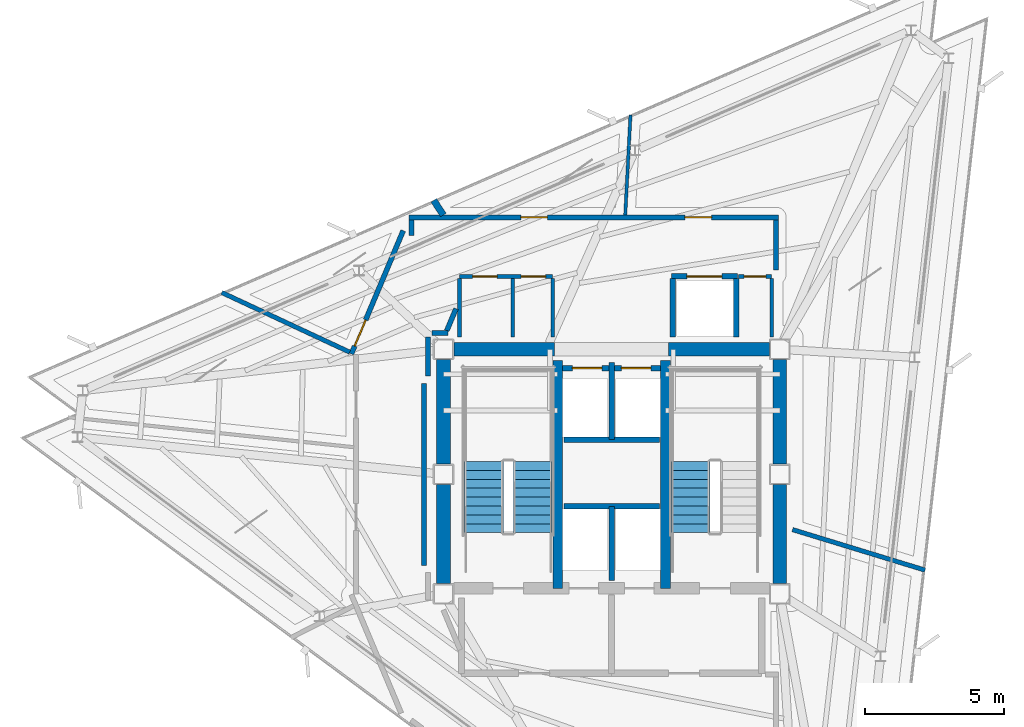
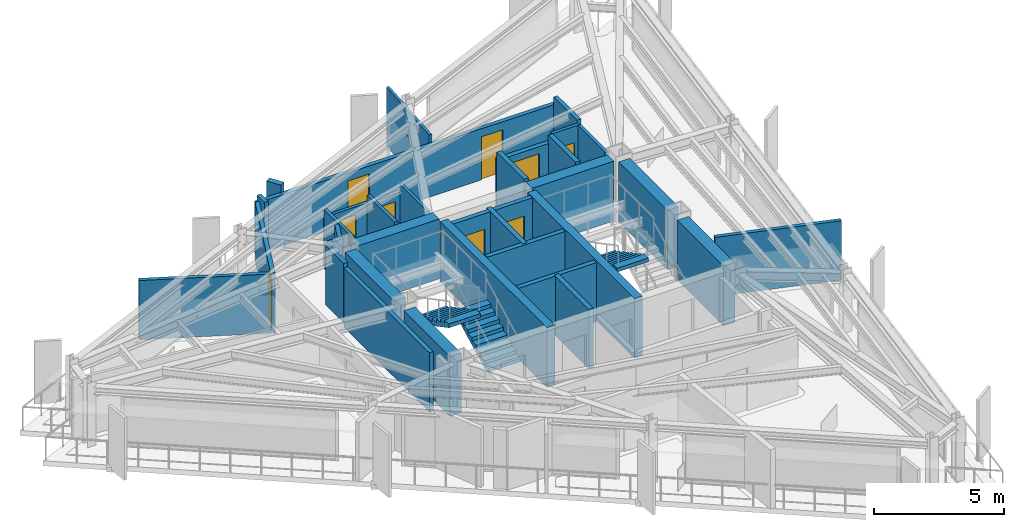
# One storey, part 6 of 10: 34 walls, 9 doors, 3 stair flights, 9 openings, 2 elements without a shape of their own.
"""IFC4 building model written with IfcOpenShell, lengths in metres."""

import ifcopenshell
import ifcopenshell.guid

model = None  # the IFC model being written
_history = None  # IfcOwnerHistory: only IFC2X3 demands one
_inside = {}  # id of a spatial element -> (the spatial element, [elements in it])
_under = {}  # id of a project, library or spatial element -> (it, [spatial elements below it])
_declared = {}  # id of a project -> (the project, [libraries it declares])
_typed = {}  # id of a type object -> (the type object, [elements of that type])
_made_of = {}  # id of a material, layer set ... -> (it, [elements and type objects made of it])


def new_model(schema):
    """Start an empty IFC model of exactly this schema.

    Asked for "IFC4X3", IfcOpenShell would pick the latest addendum, in which some entities
    have other attributes; the version numbers below select the first issue.
    IFC2X3 requires an IfcOwnerHistory on every rooted entity: one is made here for all.
    """
    global model, _history
    if schema == "IFC4X3":
        model = ifcopenshell.file(schema_version=(4, 3, 0, 0))
    else:
        model = ifcopenshell.file(schema=schema)
    _inside.clear()
    _under.clear()
    _declared.clear()
    _typed.clear()
    _made_of.clear()
    _history = None
    if model.schema == "IFC2X3":
        org = make("IfcOrganization", Name="unknown")
        user = make(
            "IfcPersonAndOrganization",
            ThePerson=make("IfcPerson", FamilyName="unknown"),
            TheOrganization=org,
        )
        app = make(
            "IfcApplication",
            ApplicationDeveloper=org,
            Version="unknown",
            ApplicationFullName="unknown",
            ApplicationIdentifier="unknown",
        )
        _history = make(
            "IfcOwnerHistory",
            OwningUser=user,
            OwningApplication=app,
            ChangeAction="ADDED",
            CreationDate=0,
        )
    return model


def make(cls, **values):
    """One entity of the class cls with the attributes given. An attribute that is None is left unset."""
    return model.create_entity(
        cls, **{name: value for name, value in values.items() if value is not None}
    )


def rooted(cls, **values):
    """An entity with a GlobalId (a new one), such as an element, a storey or a relation."""
    return make(cls, GlobalId=ifcopenshell.guid.new(), OwnerHistory=_history, **values)


def si_unit(unit_type, name, prefix=None):
    """IfcSIUnit, for example si_unit("LENGTHUNIT", "METRE", prefix="MILLI")."""
    return make("IfcSIUnit", UnitType=unit_type, Prefix=prefix, Name=name)


def assignment(units):
    """IfcUnitAssignment: the units of a project."""
    return None if units is None else make("IfcUnitAssignment", Units=units)


def point(xyz):
    """IfcCartesianPoint."""
    return None if xyz is None else make("IfcCartesianPoint", Coordinates=xyz)


def direction(xyz):
    """IfcDirection."""
    return None if xyz is None else make("IfcDirection", DirectionRatios=xyz)


def frame(location, z_axis=None, x_axis=None):
    """IfcAxis2Placement3D, a coordinate frame: its origin and axes. An axis left out is left unset."""
    return make(
        "IfcAxis2Placement3D",
        Location=point(location),
        Axis=direction(z_axis),
        RefDirection=direction(x_axis),
    )


def frame_2d(location, x_axis=None):
    """IfcAxis2Placement2D, a coordinate frame in the plane: its origin and x axis."""
    return make(
        "IfcAxis2Placement2D", Location=point(location), RefDirection=direction(x_axis)
    )


def origin():
    """The frame at (0, 0, 0) with its axes left unset."""
    return frame((0.0, 0.0, 0.0))


def place(relative_to, where):
    """IfcLocalPlacement: puts the frame where relative to a parent placement (None: the world)."""
    return make(
        "IfcLocalPlacement", PlacementRelTo=relative_to, RelativePlacement=where
    )


def context(
    kind, dimensions, precision=None, world=None, true_north=None, identifier=None
):
    """IfcGeometricRepresentationContext, for example the 3D "Model" context."""
    return make(
        "IfcGeometricRepresentationContext",
        ContextIdentifier=identifier,
        ContextType=kind,
        CoordinateSpaceDimension=dimensions,
        Precision=precision,
        WorldCoordinateSystem=world,
        TrueNorth=true_north,
    )


def subcontext(parent, identifier, kind, view, scale=None):
    """IfcGeometricRepresentationSubContext, for example "Body" below "Model"."""
    return make(
        "IfcGeometricRepresentationSubContext",
        ContextIdentifier=identifier,
        ContextType=kind,
        ParentContext=parent,
        TargetScale=scale,
        TargetView=view,
    )


def project(units=None, contexts=None):
    """IfcProject with its units and contexts."""
    return rooted(
        "IfcProject",
        Name="project",
        RepresentationContexts=contexts,
        UnitsInContext=assignment(units),
    )


def spatial(cls, under=None, at=None, **own):
    """A site, building, storey or space (cls), placed at a placement, below another one or the project."""
    s = rooted(cls, ObjectPlacement=at, **own)
    if under is not None:
        _under.setdefault(under.id(), (under, []))[1].append(s)
    return s


def polyline(points):
    """IfcPolyline through the points."""
    return make("IfcPolyline", Points=[point(p) for p in points])


def profile(cls, at=None, kind="AREA", **sizes):
    """A parametric profile (cls). Its sizes go by their IFC names, for example OverallWidth=200.0."""
    return make(cls, ProfileType=kind, Position=at, **sizes)


def rectangle(**sizes):
    """IfcRectangleProfileDef."""
    return profile("IfcRectangleProfileDef", **sizes)


def outline(outer, holes=None, kind="AREA"):
    """IfcArbitraryClosedProfileDef: a profile drawn as a closed curve; with holes, ...WithVoids."""
    if holes is None:
        return make("IfcArbitraryClosedProfileDef", ProfileType=kind, OuterCurve=outer)
    return make(
        "IfcArbitraryProfileDefWithVoids",
        ProfileType=kind,
        OuterCurve=outer,
        InnerCurves=holes,
    )


def extrude(swept, where, along, depth):
    """IfcExtrudedAreaSolid: the profile swept, set in the frame where, extruded along a direction by depth."""
    return make(
        "IfcExtrudedAreaSolid",
        SweptArea=swept,
        Position=where,
        ExtrudedDirection=direction(along),
        Depth=depth,
    )


def shape(context_of_items, identifier, shape_type, items):
    """IfcShapeRepresentation: the items that make up one representation, for example the "Body"."""
    return make(
        "IfcShapeRepresentation",
        ContextOfItems=context_of_items,
        RepresentationIdentifier=identifier,
        RepresentationType=shape_type,
        Items=items,
    )


def material(Name=None, Category=None):
    """IfcMaterial."""
    return make("IfcMaterial", Name=Name, Category=Category)


def layer(
    of_material, thickness, ventilated=None, Name=None, Category=None, Priority=None
):
    """IfcMaterialLayer: one layer of a wall or slab, of a material (None: an air gap)."""
    return make(
        "IfcMaterialLayer",
        Material=of_material,
        LayerThickness=thickness,
        IsVentilated=ventilated,
        Name=Name,
        Category=Category,
        Priority=Priority,
    )


def layer_set(layers, Name=None):
    """IfcMaterialLayerSet."""
    return make("IfcMaterialLayerSet", MaterialLayers=layers, LayerSetName=Name)


def made_of(thing, what):
    """Note that an element or type object is made of a material, layer set ...; save() writes the relation."""
    if what is not None:
        _made_of.setdefault(what.id(), (what, []))[1].append(thing)
    return thing


def type_object(cls, material=None, **own):
    """A type object (cls), such as IfcWallType, which elements share."""
    return made_of(rooted(cls, **own), material)


def element(
    cls,
    number,
    at=None,
    inside=None,
    cuts=None,
    type_object=None,
    material=None,
    context=None,
    identifier="Body",
    shape_type=None,
    held_by="IfcProductDefinitionShape",
    body=None,
    shapes=None,
    **own,
):
    """One element of the class cls, such as IfcWall. Its Tag is "e" and its number.

    at: its placement. inside: the storey or other place that contains it. cuts: it is an
    opening in that element (IfcRelVoidsElement). A single representation is given by context,
    identifier, shape_type and body (its items); several are given by shapes. held_by: the class
    of the entity that holds the representations. save() writes the other relations.
    """
    e = rooted(cls, Tag="e%d" % number, ObjectPlacement=at, **own)
    if body is not None:
        shapes = [shape(context, identifier, shape_type, body)]
    if shapes is not None:
        e.Representation = make(held_by, Representations=shapes)
    if inside is not None:
        _inside.setdefault(inside.id(), (inside, []))[1].append(e)
    if cuts is not None:
        rooted(
            "IfcRelVoidsElement", RelatingBuildingElement=cuts, RelatedOpeningElement=e
        )
    if type_object is not None:
        _typed.setdefault(type_object.id(), (type_object, []))[1].append(e)
    return made_of(e, material)


def fill(opening, filler):
    """IfcRelFillsElement: the door or window that sits in an opening."""
    return rooted(
        "IfcRelFillsElement",
        RelatingOpeningElement=opening,
        RelatedBuildingElement=filler,
    )


def aggregate(whole, parts):
    """IfcRelAggregates: a whole, such as a stair, and the parts it consists of."""
    return rooted("IfcRelAggregates", RelatingObject=whole, RelatedObjects=parts)


def save(model, path):
    """Write the relations noted so far, then the file.

    IfcRelAggregates (storeys below a building ...), IfcRelContainedInSpatialStructure (elements
    in a storey), IfcRelDefinesByType, IfcRelAssociatesMaterial and IfcRelDeclares: one each for
    every whole, place, type object, material and project.
    """
    for whole, parts in _under.values():
        aggregate(whole, parts)
    for where, things in _inside.values():
        rooted(
            "IfcRelContainedInSpatialStructure",
            RelatedElements=things,
            RelatingStructure=where,
        )
    for kind, things in _typed.values():
        rooted("IfcRelDefinesByType", RelatedObjects=things, RelatingType=kind)
    for what, things in _made_of.values():
        rooted("IfcRelAssociatesMaterial", RelatedObjects=things, RelatingMaterial=what)
    for by, libraries in _declared.values():
        rooted("IfcRelDeclares", RelatingContext=by, RelatedDefinitions=libraries)
    model.write(path)


model = new_model("IFC4")

# Units and contexts
model_context = context("Model", 3, precision=1e-05, world=origin(), true_north=direction((0.0, 1.0)))
body_context = subcontext(model_context, "Body", "Model", "MODEL_VIEW")
ifc_project = project(units=[si_unit("LENGTHUNIT", "METRE"), si_unit("AREAUNIT", "SQUARE_METRE"), si_unit("VOLUMEUNIT", "CUBIC_METRE"), si_unit("PLANEANGLEUNIT", "RADIAN"), si_unit("MASSUNIT", "GRAM", prefix="KILO")], contexts=[model_context])

# Site, building, storey
site_placement = place(None, origin())
site = spatial("IfcSite", under=ifc_project, at=site_placement, CompositionType="ELEMENT")
building_placement = place(site_placement, origin())
building = spatial("IfcBuilding", under=site, at=building_placement, Name="Rocaltana Carrier Exchange", CompositionType="ELEMENT")
storey_placement = place(building_placement, frame((0.0, 0.0, 227.0400390625)))
storey = spatial("IfcBuildingStorey", under=building, at=storey_placement, Name="L72", CompositionType="ELEMENT", Elevation=227.0400390625)

# Walls
ifc_material_1 = material(Name="Double Acoustic Gypsum Partition", Category="gypsum")
ifc_layer_1 = layer(ifc_material_1, 0.159912109375)
ifc_layer_set_1 = layer_set([ifc_layer_1], Name="Double Acoustic Gypsum Partition")
wall_type_1 = type_object("IfcWallType", Name="Acoustic Studio Partition 160 EI60", PredefinedType="PARTITIONING", material=ifc_layer_set_1)
wall_1_placement = place(storey_placement, frame((6.510009765625, -1.990234375, 0.0), z_axis=(0.0, 0.0, 1.0), x_axis=(0.956296423481, -0.292398957653, 0.0)))
element("IfcWall", 1, at=wall_1_placement, inside=storey, type_object=wall_type_1, Name="L72 Suite Divider Wall D4", PredefinedType="PARTITIONING", context=body_context, shape_type="SweptSolid", body=[
    extrude(rectangle(XDim=4.984619140625, YDim=0.159912109375, at=frame_2d((2.4921875, 0.0))), origin(), (0.0, 0.0, 1.0), 2.77294921875),
])
wall_2_placement = place(storey_placement, frame((-9.4267578125, 4.395751953125, 0.0), z_axis=(0.0, 0.0, 1.0), x_axis=(-0.906319380456, 0.422593398682, 0.0)))
element("IfcWall", 2, at=wall_2_placement, inside=storey, type_object=wall_type_1, Name="L72 Suite Divider Wall D7", PredefinedType="PARTITIONING", context=body_context, shape_type="SweptSolid", body=[
    extrude(rectangle(XDim=5.079833984375, YDim=0.159912109375, at=frame_2d((2.5400390625, 0.0))), origin(), (0.0, 0.0, 1.0), 2.77294921875),
])
ifc_material_2 = material(Name="Concrete C50/60", Category="concrete")
ifc_layer_2 = layer(ifc_material_2, 0.35009765625)
ifc_layer_set_2 = layer_set([ifc_layer_2], Name="Concrete C50/60")
wall_type_2 = type_object("IfcWallType", Name="Core Internal Shear Wall 350", PredefinedType="SHEAR", material=ifc_layer_set_2)
for number, where, z_axis, x_axis, name in (
    (3, (-1.93994140625, -4.10009765625, 0.0), (0.0, 0.0, 1.0), (0.0, 1.0, 0.0), "L72 Core Shear Wall CW-STW"),
    (4, (1.93994140625, -4.10009765625, 0.0), (0.0, 0.0, 1.0), (0.0, 1.0, 0.0), "L72 Core Shear Wall CW-STE"),
):
    element("IfcWall", number, at=place(storey_placement, frame(where, z_axis=z_axis, x_axis=x_axis)), inside=storey, type_object=wall_type_2, Name=name, PredefinedType="SHEAR", context=body_context, shape_type="SweptSolid", body=[
        extrude(rectangle(XDim=8.2001953125, YDim=0.35009765625, at=frame_2d((4.10009765625, 0.0))), origin(), (0.0, 0.0, 1.0), 2.7978515625),
    ])
ifc_material_3 = material(Name="Concrete C50/60", Category="concrete")
ifc_layer_3 = layer(ifc_material_3, 0.5)
ifc_layer_set_3 = layer_set([ifc_layer_3], Name="Concrete C50/60")
wall_type_3 = type_object("IfcWallType", Name="Core Shear Wall 500", PredefinedType="SHEAR", material=ifc_layer_set_3)
wall_3_placement = place(storey_placement, frame((-6.050048828125, 0.375, 0.0), z_axis=(0.0, 0.0, 1.0), x_axis=(0.0, 1.0, 0.0)))
element("IfcWall", 5, at=wall_3_placement, inside=storey, type_object=wall_type_3, Name="L72 Core Shear Wall CW-WN", PredefinedType="SHEAR", context=body_context, shape_type="SweptSolid", body=[
    extrude(rectangle(XDim=3.75, YDim=0.5, at=frame_2d((1.875, 0.0))), origin(), (0.0, 0.0, 1.0), 2.7978515625),
])
wall_4_placement = place(storey_placement, frame((-6.050048828125, -3.925048828125, 0.0), z_axis=(0.0, 0.0, 1.0), x_axis=(0.0, 1.0, 0.0)))
element("IfcWall", 6, at=wall_4_placement, inside=storey, type_object=wall_type_3, Name="L72 Core Shear Wall CW-WS", PredefinedType="SHEAR", context=body_context, shape_type="SweptSolid", body=[
    extrude(rectangle(XDim=3.550048828125, YDim=0.5, at=frame_2d((1.77490234375, 0.0))), origin(), (0.0, 0.0, 1.0), 2.7978515625),
])
wall_5_placement = place(storey_placement, frame((6.050048828125, 0.375, 0.0), z_axis=(0.0, 0.0, 1.0), x_axis=(0.0, 1.0, 0.0)))
element("IfcWall", 7, at=wall_5_placement, inside=storey, type_object=wall_type_3, Name="L72 Core Shear Wall CW-EN", PredefinedType="SHEAR", context=body_context, shape_type="SweptSolid", body=[
    extrude(rectangle(XDim=3.75, YDim=0.5, at=frame_2d((1.875, 0.0))), origin(), (0.0, 0.0, 1.0), 2.7978515625),
])
wall_6_placement = place(storey_placement, frame((6.050048828125, -3.925048828125, 0.0), z_axis=(0.0, 0.0, 1.0), x_axis=(0.0, 1.0, 0.0)))
element("IfcWall", 8, at=wall_6_placement, inside=storey, type_object=wall_type_3, Name="L72 Core Shear Wall CW-ES", PredefinedType="SHEAR", context=body_context, shape_type="SweptSolid", body=[
    extrude(rectangle(XDim=3.550048828125, YDim=0.5, at=frame_2d((1.77490234375, 0.0))), origin(), (0.0, 0.0, 1.0), 2.7978515625),
])
for number, where, z_axis, x_axis, name in (
    (9, (-5.675048828125, 4.5, 0.0), (0.0, 0.0, 1.0), (1.0, 0.0, 0.0), "L72 Core Shear Wall CW-N1"),
    (10, (2.050048828125, 4.5, 0.0), (0.0, 0.0, 1.0), (1.0, 0.0, 0.0), "L72 Core Shear Wall CW-N2"),
):
    element("IfcWall", number, at=place(storey_placement, frame(where, z_axis=z_axis, x_axis=x_axis)), inside=storey, type_object=wall_type_3, Name=name, PredefinedType="SHEAR", context=body_context, shape_type="SweptSolid", body=[
        extrude(rectangle(XDim=3.625, YDim=0.5, at=frame_2d((1.8125, 0.0))), origin(), (0.0, 0.0, 1.0), 2.7978515625),
    ])

# Wall, opening, door
ifc_material_4 = material(Name="Gypsum & Steel Stud Partition", Category="steel")
ifc_layer_4 = layer(ifc_material_4, 0.179931640625)
ifc_layer_set_4 = layer_set([ifc_layer_4], Name="Gypsum & Steel Stud Partition")
wall_type_4 = type_object("IfcWallType", Name="Corridor Fire Partition 180 EI60", PredefinedType="PARTITIONING", material=ifc_layer_set_4)
wall_7_placement = place(storey_placement, frame((-9.36669921875, 4.331787109375, 0.0), z_axis=(0.0, 0.0, 1.0), x_axis=(0.387573945081, 0.921838617706, 0.0)))
wall_7 = element("IfcWall", 11, at=wall_7_placement, inside=storey, type_object=wall_type_4, Name="L72 Corridor Partition 3", PredefinedType="PARTITIONING", context=body_context, shape_type="SweptSolid", body=[
    extrude(rectangle(XDim=4.813232421875, YDim=0.179931640625, at=frame_2d((2.40673828125, 0.0))), origin(), (0.0, 0.0, 1.0), 2.77294921875),
])
opening_1_placement = place(wall_7_placement, frame((0.307373046875, 0.0, 0.0)))
opening_1 = element("IfcOpeningElement", 12, at=opening_1_placement, cuts=wall_7, Name="Opening D-LB104", PredefinedType="OPENING", context=body_context, shape_type="SweptSolid", body=[
    extrude(rectangle(XDim=1.02001953125, YDim=2.02001953125, at=frame_2d((0.510009765625, 1.010009765625))), frame((0.0, 0.099853515625, 0.0), z_axis=(0.0, -1.0, 0.0), x_axis=(1.0, 0.0, 0.0)), (0.0, 0.0, 1.0), 0.199951171875),
])
ifc_material_5 = material(Name="Powder-Coated Aluminium 6063-T6", Category="aluminium")
door_type_1 = type_object("IfcDoorType", Name="Laboratory Acoustic Door 1020x2020", OperationType="NOTDEFINED", PredefinedType="DOOR", material=ifc_material_5)
door_1_placement = place(opening_1_placement, origin())
door_1 = element("IfcDoor", 13, at=door_1_placement, inside=storey, type_object=door_type_1, Name="L72 Optical Switching Laboratory Entrance Door", OperationType="SINGLE_SWING_RIGHT", OverallHeight=2.02001953125, OverallWidth=1.02001953125, PredefinedType="DOOR", context=body_context, shape_type="SweptSolid", body=[
    extrude(rectangle(XDim=1.02001953125, YDim=2.02001953125, at=frame_2d((0.510009765625, 1.010009765625))), frame((0.0, 0.02490234375, 0.0), z_axis=(0.0, -1.0, 0.0), x_axis=(1.0, 0.0, 0.0)), (0.0, 0.0, 1.0), 0.050048828125),
])
fill(opening_1, door_1)

# Wall
wall_8_placement = place(storey_placement, frame((-7.199951171875, 8.6005859375, 0.0), z_axis=(0.0, 0.0, 1.0), x_axis=(0.0, 1.0, 0.0)))
element("IfcWall", 14, at=wall_8_placement, inside=storey, type_object=wall_type_4, Name="L72 Corridor Partition 4", PredefinedType="PARTITIONING", context=body_context, shape_type="SweptSolid", body=[
    extrude(rectangle(XDim=0.559326171875, YDim=0.179931640625, at=frame_2d((0.27978515625, 0.0))), origin(), (0.0, 0.0, 1.0), 2.77294921875),
])

# Wall, openings, doors
wall_9_placement = place(storey_placement, frame((-7.2900390625, 9.25, 0.0), z_axis=(0.0, 0.0, 1.0), x_axis=(1.0, 0.0, 0.0)))
wall_9 = element("IfcWall", 15, at=wall_9_placement, inside=storey, type_object=wall_type_4, Name="L72 Corridor Partition 5", PredefinedType="PARTITIONING", context=body_context, shape_type="SweptSolid", body=[
    extrude(rectangle(XDim=13.300048828125, YDim=0.179931640625, at=frame_2d((6.64990234375, 0.0))), origin(), (0.0, 0.0, 1.0), 2.39501953125),
])
opening_2_placement = place(wall_9_placement, frame((9.92919921875, 0.0, 0.0)))
opening_2 = element("IfcOpeningElement", 16, at=opening_2_placement, cuts=wall_9, Name="Opening D-RM098", PredefinedType="OPENING", context=body_context, shape_type="SweptSolid", body=[
    extrude(rectangle(XDim=0.9599609375, YDim=2.02001953125, at=frame_2d((0.47998046875, 1.010009765625))), frame((0.0, 0.099853515625, 0.0), z_axis=(0.0, -1.0, 0.0), x_axis=(1.0, 0.0, 0.0)), (0.0, 0.0, 1.0), 0.199951171875),
])
opening_3_placement = place(wall_9_placement, frame((4.02001953125, 0.0, 0.0)))
opening_3 = element("IfcOpeningElement", 17, at=opening_3_placement, cuts=wall_9, Name="Opening D-RM098", PredefinedType="OPENING", context=body_context, shape_type="SweptSolid", body=[
    extrude(rectangle(XDim=0.9599609375, YDim=2.02001953125, at=frame_2d((0.47998046875, 1.010009765625))), frame((0.0, 0.099853515625, 0.0), z_axis=(0.0, -1.0, 0.0), x_axis=(1.0, 0.0, 0.0)), (0.0, 0.0, 1.0), 0.199951171875),
])
ifc_material_6 = material(Name="Engineered Hardwood Timber", Category="wood")
door_type_2 = type_object("IfcDoorType", Name="Workspace Single Door 960x2020", OperationType="NOTDEFINED", PredefinedType="DOOR", material=ifc_material_6)
door_2_placement = place(opening_2_placement, origin())
door_2 = element("IfcDoor", 18, at=door_2_placement, inside=storey, type_object=door_type_2, Name="L72 Cloud Architecture Office Entrance Door", OperationType="SINGLE_SWING_RIGHT", OverallHeight=2.02001953125, OverallWidth=0.9599609375, PredefinedType="DOOR", context=body_context, shape_type="SweptSolid", body=[
    extrude(rectangle(XDim=0.9599609375, YDim=2.02001953125, at=frame_2d((0.47998046875, 1.010009765625))), frame((0.0, 0.02490234375, 0.0), z_axis=(0.0, -1.0, 0.0), x_axis=(1.0, 0.0, 0.0)), (0.0, 0.0, 1.0), 0.050048828125),
])
fill(opening_2, door_2)
door_3_placement = place(opening_3_placement, origin())
door_3 = element("IfcDoor", 19, at=door_3_placement, inside=storey, type_object=door_type_2, Name="L72 Peering Conference Room Entrance Door", OperationType="SINGLE_SWING_LEFT", OverallHeight=2.02001953125, OverallWidth=0.9599609375, PredefinedType="DOOR", context=body_context, shape_type="SweptSolid", body=[
    extrude(rectangle(XDim=0.9599609375, YDim=2.02001953125, at=frame_2d((0.47998046875, 1.010009765625))), frame((0.0, 0.02490234375, 0.0), z_axis=(0.0, -1.0, 0.0), x_axis=(1.0, 0.0, 0.0)), (0.0, 0.0, 1.0), 0.050048828125),
])
fill(opening_3, door_3)

# Walls
wall_10_placement = place(storey_placement, frame((5.919921875, 9.159912109375, 0.0), z_axis=(0.0, 0.0, 1.0), x_axis=(0.0, -1.0, 0.0)))
element("IfcWall", 20, at=wall_10_placement, inside=storey, type_object=wall_type_4, Name="L72 Corridor Partition 6", PredefinedType="PARTITIONING", context=body_context, shape_type="SweptSolid", body=[
    extrude(rectangle(XDim=1.7998046875, YDim=0.179931640625, at=frame_2d((0.89990234375, 0.0))), origin(), (0.0, 0.0, 1.0), 2.77294921875),
])
wall_11_placement = place(storey_placement, frame((-5.602294921875, 5.9580078125, 0.0), z_axis=(0.0, 0.0, 1.0), x_axis=(-0.387588639363, -0.921832439566, 0.0)))
element("IfcWall", 21, at=wall_11_placement, inside=storey, type_object=wall_type_4, Name="L72 Corridor Partition 8", PredefinedType="PARTITIONING", context=body_context, shape_type="SweptSolid", body=[
    extrude(rectangle(XDim=0.8623046875, YDim=0.179931640625, at=frame_2d((0.43115234375, 0.0))), origin(), (0.0, 0.0, 1.0), 2.77294921875),
])
wall_12_placement = place(storey_placement, frame((-5.88134765625, 5.080078125, 0.0), z_axis=(0.0, 0.0, 1.0), x_axis=(-1.0, 0.0, 0.0)))
element("IfcWall", 22, at=wall_12_placement, inside=storey, type_object=wall_type_4, Name="L72 Corridor Partition 9", PredefinedType="PARTITIONING", context=body_context, shape_type="SweptSolid", body=[
    extrude(rectangle(XDim=0.588623046875, YDim=0.179931640625, at=frame_2d((0.29443359375, 0.0))), origin(), (0.0, 0.0, 1.0), 2.77294921875),
])
wall_13_placement = place(storey_placement, frame((-6.610107421875, 4.93994140625, 0.0), z_axis=(0.0, 0.0, 1.0), x_axis=(0.0, -1.0, 0.0)))
element("IfcWall", 23, at=wall_13_placement, inside=storey, type_object=wall_type_4, Name="L72 Corridor Partition 10", PredefinedType="PARTITIONING", context=body_context, shape_type="SweptSolid", body=[
    extrude(rectangle(XDim=1.398681640625, YDim=0.179931640625, at=frame_2d((0.69921875, 0.0))), origin(), (0.0, 0.0, 1.0), 2.77294921875),
])
wall_14_placement = place(storey_placement, frame((-6.75, 3.2734375, 0.0), z_axis=(0.0, 0.0, 1.0), x_axis=(0.0, -1.0, 0.0)))
element("IfcWall", 24, at=wall_14_placement, inside=storey, type_object=wall_type_4, Name="L72 Corridor Partition 11", PredefinedType="PARTITIONING", context=body_context, shape_type="SweptSolid", body=[
    extrude(rectangle(XDim=6.546875, YDim=0.179931640625, at=frame_2d((3.2734375, 0.0))), origin(), (0.0, 0.0, 1.0), 2.77294921875),
])
ifc_material_7 = material(Name="Aluminium 6063-T6 & Acoustic Glass", Category="aluminium")
ifc_layer_5 = layer(ifc_material_7, 0.114990234375)
ifc_layer_set_5 = layer_set([ifc_layer_5], Name="Aluminium 6063-T6 & Acoustic Glass")
wall_type_5 = type_object("IfcWallType", Name="Demountable Glazed Lab Partition 115", PredefinedType="MOVABLE", material=ifc_layer_set_5)
wall_15_placement = place(storey_placement, frame((0.489013671875, 9.330078125, 0.0), z_axis=(0.0, 0.0, 1.0), x_axis=(0.05229993373, 0.998631421963, 0.0)))
element("IfcWall", 25, at=wall_15_placement, inside=storey, type_object=wall_type_5, Name="L72 Suite Divider Wall D5", PredefinedType="MOVABLE", context=body_context, shape_type="SweptSolid", body=[
    extrude(rectangle(XDim=3.613037109375, YDim=0.114990234375, at=frame_2d((1.806640625, 0.0))), origin(), (0.0, 0.0, 1.0), 2.77294921875),
])
ifc_material_8 = material(Name="Acoustic Calcium Silicate Partition", Category="gypsum")
ifc_layer_6 = layer(ifc_material_8, 0.239990234375)
ifc_layer_set_6 = layer_set([ifc_layer_6], Name="Acoustic Calcium Silicate Partition")
wall_type_6 = type_object("IfcWallType", Name="Heavy Lab Partition 240 EI90", PredefinedType="PARTITIONING", material=ifc_layer_set_6)
wall_16_placement = place(storey_placement, frame((-6.05908203125, 9.330078125, 0.0), z_axis=(0.0, 0.0, 1.0), x_axis=(-0.54466198204, 0.838655665527, 0.0)))
element("IfcWall", 26, at=wall_16_placement, inside=storey, type_object=wall_type_6, Name="L72 Suite Divider Wall D6", PredefinedType="PARTITIONING", context=body_context, shape_type="SweptSolid", body=[
    extrude(rectangle(XDim=0.631103515625, YDim=0.239990234375, at=frame_2d((0.3154296875, 0.0))), origin(), (0.0, 0.0, 1.0), 2.77294921875),
])
ifc_material_9 = material(Name="Reinforced Concrete Block C35/45", Category="concrete")
ifc_layer_7 = layer(ifc_material_9, 0.199951171875)
ifc_layer_set_7 = layer_set([ifc_layer_7], Name="Reinforced Concrete Block C35/45")
wall_type_7 = type_object("IfcWallType", Name="Lift Hoistway Enclosure Wall 200 EI120", PredefinedType="PARTITIONING", material=ifc_layer_set_7)
wall_17_placement = place(storey_placement, frame((0.0, -3.820068359375, 0.0), z_axis=(0.0, 0.0, 1.0), x_axis=(0.0, 1.0, 0.0)))
element("IfcWall", 27, at=wall_17_placement, inside=storey, type_object=wall_type_7, Name="L72 FFL Shaft Divider", PredefinedType="PARTITIONING", context=body_context, shape_type="SweptSolid", body=[
    extrude(rectangle(XDim=2.670166015625, YDim=0.199951171875, at=frame_2d((1.3349609375, 0.0))), origin(), (0.0, 0.0, 1.0), 2.77294921875),
])
wall_18_placement = place(storey_placement, frame((-1.719970703125, -1.14990234375, 0.0), z_axis=(0.0, 0.0, 1.0), x_axis=(1.0, 0.0, 0.0)))
element("IfcWall", 28, at=wall_18_placement, inside=storey, type_object=wall_type_7, Name="L72 FFL Shaft Back Wall", PredefinedType="PARTITIONING", context=body_context, shape_type="SweptSolid", body=[
    extrude(rectangle(XDim=3.43994140625, YDim=0.199951171875, at=frame_2d((1.719970703125, 0.0))), origin(), (0.0, 0.0, 1.0), 2.77294921875),
])
wall_19_placement = place(storey_placement, frame((0.0, 1.25, 0.0), z_axis=(0.0, 0.0, 1.0), x_axis=(0.0, 1.0, 0.0)))
element("IfcWall", 29, at=wall_19_placement, inside=storey, type_object=wall_type_7, Name="L72 High-Rise Shaft Divider", PredefinedType="PARTITIONING", context=body_context, shape_type="SweptSolid", body=[
    extrude(rectangle(XDim=2.77001953125, YDim=0.199951171875, at=frame_2d((1.385009765625, 0.0))), origin(), (0.0, 0.0, 1.0), 2.77294921875),
])
wall_20_placement = place(storey_placement, frame((-1.719970703125, 1.25, 0.0), z_axis=(0.0, 0.0, 1.0), x_axis=(1.0, 0.0, 0.0)))
element("IfcWall", 30, at=wall_20_placement, inside=storey, type_object=wall_type_7, Name="L72 High-Rise Shaft Back Wall", PredefinedType="PARTITIONING", context=body_context, shape_type="SweptSolid", body=[
    extrude(rectangle(XDim=3.43994140625, YDim=0.199951171875, at=frame_2d((1.719970703125, 0.0))), origin(), (0.0, 0.0, 1.0), 2.77294921875),
])

# Wall, openings, doors
wall_21_placement = place(storey_placement, frame((-1.760009765625, 3.820068359375, 0.0), z_axis=(0.0, 0.0, 1.0), x_axis=(1.0, 0.0, 0.0)))
wall_21 = element("IfcWall", 31, at=wall_21_placement, inside=storey, type_object=wall_type_7, Name="L72 High-Rise Lift Front Wall", PredefinedType="PARTITIONING", context=body_context, shape_type="SweptSolid", body=[
    extrude(rectangle(XDim=3.52001953125, YDim=0.199951171875, at=frame_2d((1.760009765625, 0.0))), origin(), (0.0, 0.0, 1.0), 2.77294921875),
])
opening_4_placement = place(wall_21_placement, frame((0.35009765625, 0.0, 0.0)))
opening_4 = element("IfcOpeningElement", 32, at=opening_4_placement, cuts=wall_21, Name="Opening LD-110", PredefinedType="OPENING", context=body_context, shape_type="SweptSolid", body=[
    extrude(rectangle(XDim=1.06005859375, YDim=2.0400390625, at=frame_2d((0.530029296875, 1.02001953125))), frame((0.0, 0.10986328125, 0.0), z_axis=(0.0, -1.0, 0.0), x_axis=(1.0, 0.0, 0.0)), (0.0, 0.0, 1.0), 0.219970703125),
])
opening_5_placement = place(wall_21_placement, frame((2.110107421875, 0.0, 0.0)))
opening_5 = element("IfcOpeningElement", 33, at=opening_5_placement, cuts=wall_21, Name="Opening LD-110", PredefinedType="OPENING", context=body_context, shape_type="SweptSolid", body=[
    extrude(rectangle(XDim=1.06005859375, YDim=2.0400390625, at=frame_2d((0.530029296875, 1.02001953125))), frame((0.0, 0.10986328125, 0.0), z_axis=(0.0, -1.0, 0.0), x_axis=(1.0, 0.0, 0.0)), (0.0, 0.0, 1.0), 0.219970703125),
])
ifc_material_10 = material(Name="Brushed Stainless Sliding Door Leaf", Category="steel")
door_type_3 = type_object("IfcDoorType", Name="Lift Landing Sliding Door 1060x2040", OperationType="NOTDEFINED", PredefinedType="DOOR", material=ifc_material_10)
door_4_placement = place(opening_4_placement, origin())
door_4 = element("IfcDoor", 34, at=door_4_placement, inside=storey, type_object=door_type_3, Name="L72 High-Rise Lift PLH1 Landing Door", OperationType="SLIDING_TO_LEFT", OverallHeight=2.0400390625, OverallWidth=1.06005859375, PredefinedType="DOOR", context=body_context, shape_type="SweptSolid", body=[
    extrude(rectangle(XDim=1.06005859375, YDim=2.0400390625, at=frame_2d((0.530029296875, 1.02001953125))), frame((0.0, 0.02490234375, 0.0), z_axis=(0.0, -1.0, 0.0), x_axis=(1.0, 0.0, 0.0)), (0.0, 0.0, 1.0), 0.050048828125),
])
fill(opening_4, door_4)
door_5_placement = place(opening_5_placement, origin())
door_5 = element("IfcDoor", 35, at=door_5_placement, inside=storey, type_object=door_type_3, Name="L72 High-Rise Lift PLH2 Landing Door", OperationType="SLIDING_TO_RIGHT", OverallHeight=2.0400390625, OverallWidth=1.06005859375, PredefinedType="DOOR", context=body_context, shape_type="SweptSolid", body=[
    extrude(rectangle(XDim=1.06005859375, YDim=2.0400390625, at=frame_2d((0.530029296875, 1.02001953125))), frame((0.0, 0.02490234375, 0.0), z_axis=(0.0, -1.0, 0.0), x_axis=(1.0, 0.0, 0.0)), (0.0, 0.0, 1.0), 0.050048828125),
])
fill(opening_5, door_5)

# Walls
for number, where, z_axis, x_axis, name in (
    (36, (2.199951171875, 4.949951171875, 0.0), (0.0, 0.0, 1.0), (0.0, 1.0, 0.0), "L72 Goods Lift West Wall"),
    (37, (4.47998046875, 4.949951171875, 0.0), (0.0, 0.0, 1.0), (0.0, 1.0, 0.0), "L72 Goods Lift East Wall"),
):
    element("IfcWall", number, at=place(storey_placement, frame(where, z_axis=z_axis, x_axis=x_axis)), inside=storey, type_object=wall_type_7, Name=name, PredefinedType="PARTITIONING", context=body_context, shape_type="SweptSolid", body=[
        extrude(rectangle(XDim=2.10009765625, YDim=0.199951171875, at=frame_2d((1.050048828125, 0.0))), origin(), (0.0, 0.0, 1.0), 2.77294921875),
    ])

# Wall, opening, door
wall_22_placement = place(storey_placement, frame((2.14990234375, 7.1201171875, 0.0), z_axis=(0.0, 0.0, 1.0), x_axis=(1.0, 0.0, 0.0)))
wall_22 = element("IfcWall", 38, at=wall_22_placement, inside=storey, type_object=wall_type_7, Name="L72 Goods Lift Front Wall", PredefinedType="PARTITIONING", context=body_context, shape_type="SweptSolid", body=[
    extrude(rectangle(XDim=2.380126953125, YDim=0.199951171875, at=frame_2d((1.18994140625, 0.0))), origin(), (0.0, 0.0, 1.0), 2.39501953125),
])
opening_6_placement = place(wall_22_placement, frame((0.56005859375, 0.0, 0.0)))
opening_6 = element("IfcOpeningElement", 39, at=opening_6_placement, cuts=wall_22, Name="Opening LD-130", PredefinedType="OPENING", context=body_context, shape_type="SweptSolid", body=[
    extrude(rectangle(XDim=1.260009765625, YDim=2.06005859375, at=frame_2d((0.6298828125, 1.030029296875))), frame((0.0, 0.10986328125, 0.0), z_axis=(0.0, -1.0, 0.0), x_axis=(1.0, 0.0, 0.0)), (0.0, 0.0, 1.0), 0.219970703125),
])
ifc_material_11 = material(Name="Brushed Stainless Sliding Door Leaf", Category="steel")
door_type_4 = type_object("IfcDoorType", Name="Goods Lift Landing Sliding Door 1260x2060", OperationType="NOTDEFINED", PredefinedType="DOOR", material=ifc_material_11)
door_6_placement = place(opening_6_placement, origin())
door_6 = element("IfcDoor", 40, at=door_6_placement, inside=storey, type_object=door_type_4, Name="L72 Goods Lift GL-1 Landing Door", OperationType="SLIDING_TO_LEFT", OverallHeight=2.06005859375, OverallWidth=1.260009765625, PredefinedType="DOOR", context=body_context, shape_type="SweptSolid", body=[
    extrude(rectangle(XDim=1.260009765625, YDim=2.06005859375, at=frame_2d((0.6298828125, 1.030029296875))), frame((0.0, 0.02490234375, 0.0), z_axis=(0.0, -1.0, 0.0), x_axis=(1.0, 0.0, 0.0)), (0.0, 0.0, 1.0), 0.050048828125),
])
fill(opening_6, door_6)

# Walls
ifc_material_12 = material(Name="Moisture-Resistant Masonry C30/37", Category="masonry")
ifc_layer_8 = layer(ifc_material_12, 0.139892578125)
ifc_layer_set_8 = layer_set([ifc_layer_8], Name="Moisture-Resistant Masonry C30/37")
wall_type_8 = type_object("IfcWallType", Name="Wet-Area Sanitary Partition 140", PredefinedType="PARTITIONING", material=ifc_layer_set_8)
for number, where, z_axis, x_axis, name in (
    (41, (-5.47998046875, 4.949951171875, 0.0), (0.0, 0.0, 1.0), (0.0, 1.0, 0.0), "L72 Sanitary West Wall"),
    (42, (-3.56005859375, 4.949951171875, 0.0), (0.0, 0.0, 1.0), (0.0, 1.0, 0.0), "L72 Sanitary Divider"),
    (43, (-2.1201171875, 4.949951171875, 0.0), (0.0, 0.0, 1.0), (0.0, 1.0, 0.0), "L72 Sanitary East Wall"),
):
    element("IfcWall", number, at=place(storey_placement, frame(where, z_axis=z_axis, x_axis=x_axis)), inside=storey, type_object=wall_type_8, Name=name, PredefinedType="PARTITIONING", context=body_context, shape_type="SweptSolid", body=[
        extrude(rectangle(XDim=2.10009765625, YDim=0.139892578125, at=frame_2d((1.050048828125, 0.0))), origin(), (0.0, 0.0, 1.0), 2.77294921875),
    ])

# Wall, openings, doors
wall_23_placement = place(storey_placement, frame((-5.47998046875, 7.1201171875, 0.0), z_axis=(0.0, 0.0, 1.0), x_axis=(1.0, 0.0, 0.0)))
wall_23 = element("IfcWall", 44, at=wall_23_placement, inside=storey, type_object=wall_type_8, Name="L72 Sanitary North Wall", PredefinedType="PARTITIONING", context=body_context, shape_type="SweptSolid", body=[
    extrude(rectangle(XDim=3.35986328125, YDim=0.139892578125, at=frame_2d((1.679931640625, 0.0))), origin(), (0.0, 0.0, 1.0), 2.39501953125),
])
opening_7_placement = place(wall_23_placement, frame((0.47998046875, 0.0, 0.0)))
opening_7 = element("IfcOpeningElement", 45, at=opening_7_placement, cuts=wall_23, Name="Opening D-WC090", PredefinedType="OPENING", context=body_context, shape_type="SweptSolid", body=[
    extrude(rectangle(XDim=0.8798828125, YDim=2.02001953125, at=frame_2d((0.43994140625, 1.010009765625))), frame((0.0, 0.079833984375, 0.0), z_axis=(0.0, -1.0, 0.0), x_axis=(1.0, 0.0, 0.0)), (0.0, 0.0, 1.0), 0.159912109375),
])
opening_8_placement = place(wall_23_placement, frame((2.219970703125, 0.0, 0.0)))
opening_8 = element("IfcOpeningElement", 46, at=opening_8_placement, cuts=wall_23, Name="Opening D-WC090", PredefinedType="OPENING", context=body_context, shape_type="SweptSolid", body=[
    extrude(rectangle(XDim=0.8798828125, YDim=2.02001953125, at=frame_2d((0.43994140625, 1.010009765625))), frame((0.0, 0.079833984375, 0.0), z_axis=(0.0, -1.0, 0.0), x_axis=(1.0, 0.0, 0.0)), (0.0, 0.0, 1.0), 0.159912109375),
])
ifc_material_13 = material(Name="High-Pressure Laminate Timber", Category="wood")
door_type_5 = type_object("IfcDoorType", Name="Restroom & Accessible WC Door 880x2020", OperationType="NOTDEFINED", PredefinedType="DOOR", material=ifc_material_13)
door_7_placement = place(opening_7_placement, origin())
door_7 = element("IfcDoor", 47, at=door_7_placement, inside=storey, type_object=door_type_5, Name="L72 Accessible Toilet Door", OperationType="SINGLE_SWING_RIGHT", OverallHeight=2.02001953125, OverallWidth=0.8798828125, PredefinedType="DOOR", context=body_context, shape_type="SweptSolid", body=[
    extrude(rectangle(XDim=0.8798828125, YDim=2.02001953125, at=frame_2d((0.43994140625, 1.010009765625))), frame((0.0, 0.02490234375, 0.0), z_axis=(0.0, -1.0, 0.0), x_axis=(1.0, 0.0, 0.0)), (0.0, 0.0, 1.0), 0.050048828125),
])
fill(opening_7, door_7)
door_8_placement = place(opening_8_placement, origin())
door_8 = element("IfcDoor", 48, at=door_8_placement, inside=storey, type_object=door_type_5, Name="L72 Staff Restroom Door", OperationType="SINGLE_SWING_LEFT", OverallHeight=2.02001953125, OverallWidth=0.8798828125, PredefinedType="DOOR", context=body_context, shape_type="SweptSolid", body=[
    extrude(rectangle(XDim=0.8798828125, YDim=2.02001953125, at=frame_2d((0.43994140625, 1.010009765625))), frame((0.0, 0.02490234375, 0.0), z_axis=(0.0, -1.0, 0.0), x_axis=(1.0, 0.0, 0.0)), (0.0, 0.0, 1.0), 0.050048828125),
])
fill(opening_8, door_8)

# Wall
wall_24_placement = place(storey_placement, frame((5.760009765625, 4.949951171875, 0.0), z_axis=(0.0, 0.0, 1.0), x_axis=(0.0, 1.0, 0.0)))
element("IfcWall", 49, at=wall_24_placement, inside=storey, type_object=wall_type_8, Name="L72 Riser East Wall", PredefinedType="PARTITIONING", context=body_context, shape_type="SweptSolid", body=[
    extrude(rectangle(XDim=2.10009765625, YDim=0.139892578125, at=frame_2d((1.050048828125, 0.0))), origin(), (0.0, 0.0, 1.0), 2.77294921875),
])

# Wall, opening, door
wall_25_placement = place(storey_placement, frame((4.56005859375, 7.1201171875, 0.0), z_axis=(0.0, 0.0, 1.0), x_axis=(1.0, 0.0, 0.0)))
wall_25 = element("IfcWall", 50, at=wall_25_placement, inside=storey, type_object=wall_type_8, Name="L72 Riser North Wall", PredefinedType="PARTITIONING", context=body_context, shape_type="SweptSolid", body=[
    extrude(rectangle(XDim=1.199951171875, YDim=0.139892578125, at=frame_2d((0.60009765625, 0.0))), origin(), (0.0, 0.0, 1.0), 2.77294921875),
])
opening_9_placement = place(wall_25_placement, frame((0.2099609375, 0.0, 0.0)))
opening_9 = element("IfcOpeningElement", 51, at=opening_9_placement, cuts=wall_25, Name="Opening D-RS082", PredefinedType="OPENING", context=body_context, shape_type="SweptSolid", body=[
    extrude(rectangle(XDim=0.780029296875, YDim=2.010009765625, at=frame_2d((0.39013671875, 1.0048828125))), frame((0.0, 0.079833984375, 0.0), z_axis=(0.0, -1.0, 0.0), x_axis=(1.0, 0.0, 0.0)), (0.0, 0.0, 1.0), 0.159912109375),
])
ifc_material_14 = material(Name="Hollow Metal Access Door Leaf", Category="steel")
door_type_6 = type_object("IfcDoorType", Name="Riser & Service Closet Door 780x2010", OperationType="NOTDEFINED", PredefinedType="DOOR", material=ifc_material_14)
door_9_placement = place(opening_9_placement, origin())
door_9 = element("IfcDoor", 52, at=door_9_placement, inside=storey, type_object=door_type_6, Name="L72 Fibre Riser Closet Door", OperationType="SINGLE_SWING_RIGHT", OverallHeight=2.010009765625, OverallWidth=0.780029296875, PredefinedType="DOOR", context=body_context, shape_type="SweptSolid", body=[
    extrude(rectangle(XDim=0.780029296875, YDim=2.010009765625, at=frame_2d((0.39013671875, 1.0048828125))), frame((0.0, 0.02490234375, 0.0), z_axis=(0.0, -1.0, 0.0), x_axis=(1.0, 0.0, 0.0)), (0.0, 0.0, 1.0), 0.050048828125),
])
fill(opening_9, door_9)

# Stair, stair flights
ifc_material_15 = material(Name="Precast concrete C45/55", Category="concrete")
stair_type = type_object("IfcStairType", Name="Standard Dog-Leg Stair 160", PredefinedType="HALF_TURN_STAIR", material=ifc_material_15)
stair_1_placement = place(storey_placement, origin())
stair_1 = element("IfcStair", 53, at=stair_1_placement, inside=storey, type_object=stair_type, Name="L72 Core West Exit Stair ST-1", PredefinedType="HALF_TURN_STAIR")
ifc_material_16 = material(Name="Precast concrete C45/55", Category="concrete")
stair_flight_type = type_object("IfcStairFlightType", Name="Precast Stair Flight 160", PredefinedType="STRAIGHT", material=ifc_material_16)
stair_flight_1_placement = place(storey_placement, frame((-2.840087890625, -2.10009765625, 0.0), z_axis=(0.0, 0.0, 1.0), x_axis=(0.0, 1.0, 0.0)))
stair_flight_1 = element("IfcStairFlight", 54, at=stair_flight_1_placement, type_object=stair_flight_type, Name="ST-1 flight 1", NumberOfRisers=9, NumberOfTreads=8, PredefinedType="STRAIGHT", RiserHeight=0.168888889, TreadLength=0.32, context=body_context, shape_type="SweptSolid", body=[
    extrude(outline(polyline([(0.0, 0.0), (0.0, 0.1689453125), (0.320068359375, 0.1689453125), (0.320068359375, 0.337890625), (0.639892578125, 0.337890625), (0.639892578125, 0.506591796875), (0.9599609375, 0.506591796875), (0.9599609375, 0.675537109375), (1.280029296875, 0.675537109375), (1.280029296875, 0.844482421875), (1.60009765625, 0.844482421875), (1.60009765625, 1.013427734375), (1.919921875, 1.013427734375), (1.919921875, 1.18212890625), (2.239990234375, 1.18212890625), (2.239990234375, 1.35107421875), (2.56005859375, 1.35107421875), (2.56005859375, 1.52001953125), (2.56005859375, 1.17041015625), (0.342529296875, 0.0), (0.0, 0.0)])), frame((0.0, 0.699951171875, 0.0), z_axis=(0.0, -1.0, 0.0), x_axis=(1.0, 0.0, 0.0)), (0.0, 0.0, 1.0), 1.39990234375),
])
stair_flight_2_placement = place(storey_placement, frame((-4.60009765625, 0.4599609375, 1.52001953125), z_axis=(0.0, 0.0, 1.0), x_axis=(0.0, -1.0, 0.0)))
stair_flight_2 = element("IfcStairFlight", 55, at=stair_flight_2_placement, type_object=stair_flight_type, Name="ST-1 flight 2", NumberOfRisers=9, NumberOfTreads=8, PredefinedType="STRAIGHT", RiserHeight=0.168888889, TreadLength=0.32, context=body_context, shape_type="SweptSolid", body=[
    extrude(outline(polyline([(0.0, 0.0), (0.0, 0.1689453125), (0.320068359375, 0.1689453125), (0.320068359375, 0.337890625), (0.639892578125, 0.337890625), (0.639892578125, 0.506591796875), (0.9599609375, 0.506591796875), (0.9599609375, 0.675537109375), (1.280029296875, 0.675537109375), (1.280029296875, 0.844482421875), (1.60009765625, 0.844482421875), (1.60009765625, 1.013427734375), (1.919921875, 1.013427734375), (1.919921875, 1.18212890625), (2.239990234375, 1.18212890625), (2.239990234375, 1.35107421875), (2.56005859375, 1.35107421875), (2.56005859375, 1.52001953125), (2.56005859375, 1.17041015625), (0.342529296875, 0.0), (0.0, 0.0)])), frame((0.0, 0.699951171875, 0.0), z_axis=(0.0, -1.0, 0.0), x_axis=(1.0, 0.0, 0.0)), (0.0, 0.0, 1.0), 1.39990234375),
])
aggregate(stair_1, [stair_flight_1, stair_flight_2])

# Stair, stair flight
stair_2_placement = place(storey_placement, origin())
stair_2 = element("IfcStair", 56, at=stair_2_placement, inside=storey, type_object=stair_type, Name="L72 Core East Exit Stair ST-2", PredefinedType="HALF_TURN_STAIR")
stair_flight_3_placement = place(storey_placement, frame((2.840087890625, 0.4599609375, 1.52001953125), z_axis=(0.0, 0.0, 1.0), x_axis=(0.0, -1.0, 0.0)))
stair_flight_3 = element("IfcStairFlight", 57, at=stair_flight_3_placement, type_object=stair_flight_type, Name="ST-2 flight 2", NumberOfRisers=9, NumberOfTreads=8, PredefinedType="STRAIGHT", RiserHeight=0.168888889, TreadLength=0.32, context=body_context, shape_type="SweptSolid", body=[
    extrude(outline(polyline([(0.0, 0.0), (0.0, 0.1689453125), (0.320068359375, 0.1689453125), (0.320068359375, 0.337890625), (0.639892578125, 0.337890625), (0.639892578125, 0.506591796875), (0.9599609375, 0.506591796875), (0.9599609375, 0.675537109375), (1.280029296875, 0.675537109375), (1.280029296875, 0.844482421875), (1.60009765625, 0.844482421875), (1.60009765625, 1.013427734375), (1.919921875, 1.013427734375), (1.919921875, 1.18212890625), (2.239990234375, 1.18212890625), (2.239990234375, 1.35107421875), (2.56005859375, 1.35107421875), (2.56005859375, 1.52001953125), (2.56005859375, 1.17041015625), (0.342529296875, 0.0), (0.0, 0.0)])), frame((0.0, 0.699951171875, 0.0), z_axis=(0.0, -1.0, 0.0), x_axis=(1.0, 0.0, 0.0)), (0.0, 0.0, 1.0), 1.39990234375),
])
aggregate(stair_2, [stair_flight_3])

save(model, "model.ifc")
